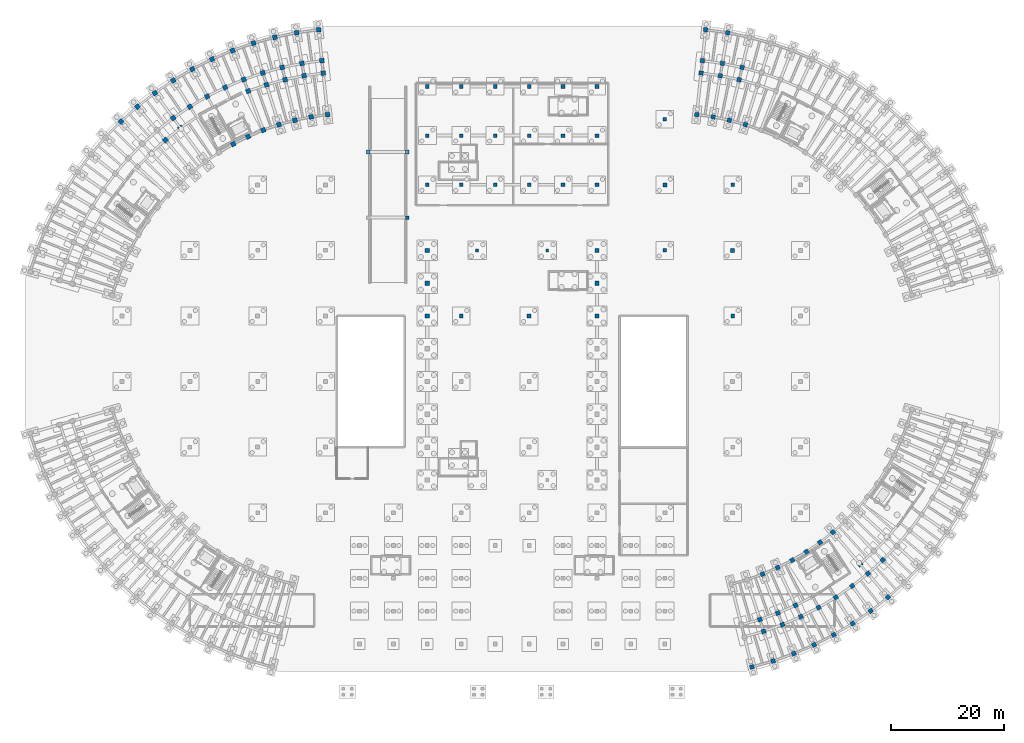
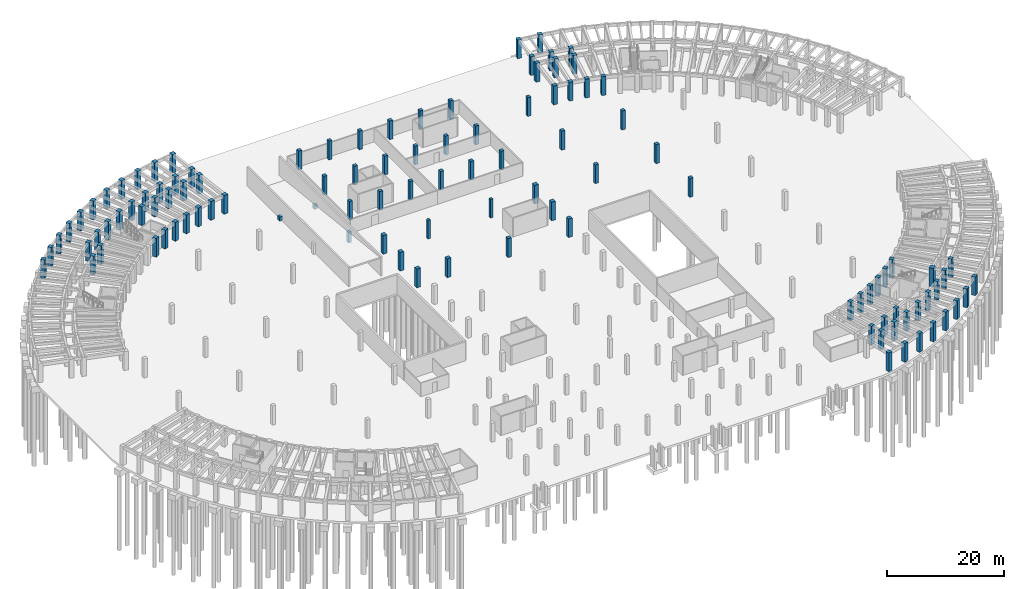
# One storey, part 8 of 29: 109 columns.
"""IFC4 building model written with IfcOpenShell, lengths in metres."""

import ifcopenshell
import ifcopenshell.guid

model = None  # the IFC model being written
_history = None  # IfcOwnerHistory: only IFC2X3 demands one
_inside = {}  # id of a spatial element -> (the spatial element, [elements in it])
_under = {}  # id of a project, library or spatial element -> (it, [spatial elements below it])
_declared = {}  # id of a project -> (the project, [libraries it declares])
_typed = {}  # id of a type object -> (the type object, [elements of that type])
_made_of = {}  # id of a material, layer set ... -> (it, [elements and type objects made of it])


def new_model(schema):
    """Start an empty IFC model of exactly this schema.

    Asked for "IFC4X3", IfcOpenShell would pick the latest addendum, in which some entities
    have other attributes; the version numbers below select the first issue.
    IFC2X3 requires an IfcOwnerHistory on every rooted entity: one is made here for all.
    """
    global model, _history
    if schema == "IFC4X3":
        model = ifcopenshell.file(schema_version=(4, 3, 0, 0))
    else:
        model = ifcopenshell.file(schema=schema)
    _inside.clear()
    _under.clear()
    _declared.clear()
    _typed.clear()
    _made_of.clear()
    _history = None
    if model.schema == "IFC2X3":
        org = make("IfcOrganization", Name="unknown")
        user = make(
            "IfcPersonAndOrganization",
            ThePerson=make("IfcPerson", FamilyName="unknown"),
            TheOrganization=org,
        )
        app = make(
            "IfcApplication",
            ApplicationDeveloper=org,
            Version="unknown",
            ApplicationFullName="unknown",
            ApplicationIdentifier="unknown",
        )
        _history = make(
            "IfcOwnerHistory",
            OwningUser=user,
            OwningApplication=app,
            ChangeAction="ADDED",
            CreationDate=0,
        )
    return model


def make(cls, **values):
    """One entity of the class cls with the attributes given. An attribute that is None is left unset."""
    return model.create_entity(
        cls, **{name: value for name, value in values.items() if value is not None}
    )


def rooted(cls, **values):
    """An entity with a GlobalId (a new one), such as an element, a storey or a relation."""
    return make(cls, GlobalId=ifcopenshell.guid.new(), OwnerHistory=_history, **values)


def si_unit(unit_type, name, prefix=None):
    """IfcSIUnit, for example si_unit("LENGTHUNIT", "METRE", prefix="MILLI")."""
    return make("IfcSIUnit", UnitType=unit_type, Prefix=prefix, Name=name)


def assignment(units):
    """IfcUnitAssignment: the units of a project."""
    return None if units is None else make("IfcUnitAssignment", Units=units)


def point(xyz):
    """IfcCartesianPoint."""
    return None if xyz is None else make("IfcCartesianPoint", Coordinates=xyz)


def direction(xyz):
    """IfcDirection."""
    return None if xyz is None else make("IfcDirection", DirectionRatios=xyz)


def frame(location, z_axis=None, x_axis=None):
    """IfcAxis2Placement3D, a coordinate frame: its origin and axes. An axis left out is left unset."""
    return make(
        "IfcAxis2Placement3D",
        Location=point(location),
        Axis=direction(z_axis),
        RefDirection=direction(x_axis),
    )


def frame_2d(location, x_axis=None):
    """IfcAxis2Placement2D, a coordinate frame in the plane: its origin and x axis."""
    return make(
        "IfcAxis2Placement2D", Location=point(location), RefDirection=direction(x_axis)
    )


def origin():
    """The frame at (0, 0, 0) with its axes left unset."""
    return frame((0.0, 0.0, 0.0))


def origin_2d():
    """The frame at (0, 0) in the plane with its x axis left unset."""
    return frame_2d((0.0, 0.0))


def place(relative_to, where):
    """IfcLocalPlacement: puts the frame where relative to a parent placement (None: the world)."""
    return make(
        "IfcLocalPlacement", PlacementRelTo=relative_to, RelativePlacement=where
    )


def context(
    kind, dimensions, precision=None, world=None, true_north=None, identifier=None
):
    """IfcGeometricRepresentationContext, for example the 3D "Model" context."""
    return make(
        "IfcGeometricRepresentationContext",
        ContextIdentifier=identifier,
        ContextType=kind,
        CoordinateSpaceDimension=dimensions,
        Precision=precision,
        WorldCoordinateSystem=world,
        TrueNorth=true_north,
    )


def subcontext(parent, identifier, kind, view, scale=None):
    """IfcGeometricRepresentationSubContext, for example "Body" below "Model"."""
    return make(
        "IfcGeometricRepresentationSubContext",
        ContextIdentifier=identifier,
        ContextType=kind,
        ParentContext=parent,
        TargetScale=scale,
        TargetView=view,
    )


def project(units=None, contexts=None):
    """IfcProject with its units and contexts."""
    return rooted(
        "IfcProject",
        Name="project",
        RepresentationContexts=contexts,
        UnitsInContext=assignment(units),
    )


def spatial(cls, under=None, at=None, **own):
    """A site, building, storey or space (cls), placed at a placement, below another one or the project."""
    s = rooted(cls, ObjectPlacement=at, **own)
    if under is not None:
        _under.setdefault(under.id(), (under, []))[1].append(s)
    return s


def profile(cls, at=None, kind="AREA", **sizes):
    """A parametric profile (cls). Its sizes go by their IFC names, for example OverallWidth=200.0."""
    return make(cls, ProfileType=kind, Position=at, **sizes)


def rectangle(**sizes):
    """IfcRectangleProfileDef."""
    return profile("IfcRectangleProfileDef", **sizes)


def extrude(swept, where, along, depth):
    """IfcExtrudedAreaSolid: the profile swept, set in the frame where, extruded along a direction by depth."""
    return make(
        "IfcExtrudedAreaSolid",
        SweptArea=swept,
        Position=where,
        ExtrudedDirection=direction(along),
        Depth=depth,
    )


def shape(context_of_items, identifier, shape_type, items):
    """IfcShapeRepresentation: the items that make up one representation, for example the "Body"."""
    return make(
        "IfcShapeRepresentation",
        ContextOfItems=context_of_items,
        RepresentationIdentifier=identifier,
        RepresentationType=shape_type,
        Items=items,
    )


def material(Name=None, Category=None):
    """IfcMaterial."""
    return make("IfcMaterial", Name=Name, Category=Category)


def material_profile(
    of_material, cross_section, Name=None, Category=None, Priority=None
):
    """IfcMaterialProfile: a cross section and its material."""
    return make(
        "IfcMaterialProfile",
        Name=Name,
        Material=of_material,
        Profile=cross_section,
        Priority=Priority,
        Category=Category,
    )


def profile_set(profiles, Name=None, composite=None):
    """IfcMaterialProfileSet."""
    return make(
        "IfcMaterialProfileSet",
        Name=Name,
        MaterialProfiles=profiles,
        CompositeProfile=composite,
    )


def made_of(thing, what):
    """Note that an element or type object is made of a material, layer set ...; save() writes the relation."""
    if what is not None:
        _made_of.setdefault(what.id(), (what, []))[1].append(thing)
    return thing


def type_object(cls, material=None, **own):
    """A type object (cls), such as IfcWallType, which elements share."""
    return made_of(rooted(cls, **own), material)


def element(
    cls,
    number,
    at=None,
    inside=None,
    cuts=None,
    type_object=None,
    material=None,
    context=None,
    identifier="Body",
    shape_type=None,
    held_by="IfcProductDefinitionShape",
    body=None,
    shapes=None,
    **own,
):
    """One element of the class cls, such as IfcWall. Its Tag is "e" and its number.

    at: its placement. inside: the storey or other place that contains it. cuts: it is an
    opening in that element (IfcRelVoidsElement). A single representation is given by context,
    identifier, shape_type and body (its items); several are given by shapes. held_by: the class
    of the entity that holds the representations. save() writes the other relations.
    """
    e = rooted(cls, Tag="e%d" % number, ObjectPlacement=at, **own)
    if body is not None:
        shapes = [shape(context, identifier, shape_type, body)]
    if shapes is not None:
        e.Representation = make(held_by, Representations=shapes)
    if inside is not None:
        _inside.setdefault(inside.id(), (inside, []))[1].append(e)
    if cuts is not None:
        rooted(
            "IfcRelVoidsElement", RelatingBuildingElement=cuts, RelatedOpeningElement=e
        )
    if type_object is not None:
        _typed.setdefault(type_object.id(), (type_object, []))[1].append(e)
    return made_of(e, material)


def aggregate(whole, parts):
    """IfcRelAggregates: a whole, such as a stair, and the parts it consists of."""
    return rooted("IfcRelAggregates", RelatingObject=whole, RelatedObjects=parts)


def save(model, path):
    """Write the relations noted so far, then the file.

    IfcRelAggregates (storeys below a building ...), IfcRelContainedInSpatialStructure (elements
    in a storey), IfcRelDefinesByType, IfcRelAssociatesMaterial and IfcRelDeclares: one each for
    every whole, place, type object, material and project.
    """
    for whole, parts in _under.values():
        aggregate(whole, parts)
    for where, things in _inside.values():
        rooted(
            "IfcRelContainedInSpatialStructure",
            RelatedElements=things,
            RelatingStructure=where,
        )
    for kind, things in _typed.values():
        rooted("IfcRelDefinesByType", RelatedObjects=things, RelatingType=kind)
    for what, things in _made_of.values():
        rooted("IfcRelAssociatesMaterial", RelatedObjects=things, RelatingMaterial=what)
    for by, libraries in _declared.values():
        rooted("IfcRelDeclares", RelatingContext=by, RelatedDefinitions=libraries)
    model.write(path)


model = new_model("IFC4")

# Units and contexts
model_context = context("Model", 3, precision=1e-05, world=origin(), true_north=direction((0.0, 1.0)))
body_context = subcontext(model_context, "Body", "Model", "MODEL_VIEW")
ifc_project = project(units=[si_unit("LENGTHUNIT", "METRE"), si_unit("AREAUNIT", "SQUARE_METRE"), si_unit("VOLUMEUNIT", "CUBIC_METRE"), si_unit("PLANEANGLEUNIT", "RADIAN"), si_unit("MASSUNIT", "GRAM", prefix="KILO")], contexts=[model_context])

# Site, building, storey
site_placement = place(None, origin())
site = spatial("IfcSite", under=ifc_project, at=site_placement, CompositionType="ELEMENT")
building_placement = place(site_placement, origin())
building = spatial("IfcBuilding", under=site, at=building_placement, Name="Tanwirah Colonnade Gardens", CompositionType="ELEMENT")
storey_placement = place(building_placement, frame((0.0, 0.0, -4.199951171875)))
storey = spatial("IfcBuildingStorey", under=building, at=storey_placement, Name="B1", CompositionType="ELEMENT", Elevation=-4.199951171875)

# Columns
ifc_material_1 = material(Name="Precast concrete C40/50", Category="concrete")
ifc_material_profile_1 = material_profile(ifc_material_1, rectangle(XDim=0.5, YDim=0.5, at=origin_2d()), Name="PC-COL 500x500")
ifc_profile_set_1 = profile_set([ifc_material_profile_1], Name="Precast concrete C40/50")
column_type_1 = type_object("IfcColumnType", Name="C-PC500", PredefinedType="COLUMN", material=ifc_profile_set_1)
for number, where, z_axis, x_axis, name in (
    (1, (86.800048828125, 80.39990234375, 0.0), (0.0, 0.0, 1.0), (1.0, 0.0, 0.0), "Community Hall B1 Column 1.7"),
    (2, (99.199951171875, 80.39990234375, 0.0), (0.0, 0.0, 1.0), (1.0, 0.0, 0.0), "Community Hall B1 Column 2.7"),
):
    element("IfcColumn", number, at=place(storey_placement, frame(where, z_axis=z_axis, x_axis=x_axis)), inside=storey, type_object=column_type_1, Name=name, PredefinedType="COLUMN", context=body_context, shape_type="SweptSolid", body=[
        extrude(rectangle(XDim=0.5, YDim=0.5, at=origin_2d()), origin(), (0.0, 0.0, 1.0), 3.905029296875),
    ])
ifc_material_2 = material(Name="Concrete C45/55", Category="concrete")
ifc_material_profile_2 = material_profile(ifc_material_2, rectangle(XDim=0.64990234375, YDim=0.64990234375, at=origin_2d()), Name="RC-COL 650x650")
ifc_profile_set_2 = profile_set([ifc_material_profile_2], Name="Concrete C45/55")
column_type_2 = type_object("IfcColumnType", Name="C-RC650", PredefinedType="COLUMN", material=ifc_profile_set_2)
for number, where, z_axis, x_axis, name in (
    (3, (120.0, 80.39990234375, 0.0), (0.0, 0.0, 1.0), (1.0, 0.0, 0.0), "Basement Parking Column 29"),
    (4, (120.0, 103.60009765625, 0.0), (0.0, 0.0, 1.0), (1.0, 0.0, 0.0), "Basement Parking Column 31"),
    (5, (132.0, 68.800048828125, 0.0), (0.0, 0.0, 1.0), (1.0, 0.0, 0.0), "Basement Parking Column 35"),
    (6, (132.0, 92.0, 0.0), (0.0, 0.0, 1.0), (1.0, 0.0, 0.0), "Basement Parking Column 37"),
):
    element("IfcColumn", number, at=place(storey_placement, frame(where, z_axis=z_axis, x_axis=x_axis)), inside=storey, type_object=column_type_2, Name=name, PredefinedType="COLUMN", context=body_context, shape_type="SweptSolid", body=[
        extrude(rectangle(XDim=0.64990234375, YDim=0.64990234375, at=origin_2d()), origin(), (0.0, 0.0, 1.0), 3.969970703125),
    ])
for number, where, z_axis, x_axis, name in (
    (7, (78.0, 92.0, 0.0), (0.0, 0.0, 1.0), (1.0, 0.0, 0.0), "Nursery B1 Column 0.0"),
    (8, (78.0, 100.699951171875, 0.0), (0.0, 0.0, 1.0), (1.0, 0.0, 0.0), "Nursery B1 Column 0.1"),
    (9, (78.0, 109.39990234375, 0.0), (0.0, 0.0, 1.0), (1.0, 0.0, 0.0), "Nursery B1 Column 0.2"),
    (10, (84.0, 92.0, 0.0), (0.0, 0.0, 1.0), (1.0, 0.0, 0.0), "Nursery B1 Column 1.0"),
    (11, (84.0, 100.699951171875, 0.0), (0.0, 0.0, 1.0), (1.0, 0.0, 0.0), "Nursery B1 Column 1.1"),
    (12, (84.0, 109.39990234375, 0.0), (0.0, 0.0, 1.0), (1.0, 0.0, 0.0), "Nursery B1 Column 1.2"),
    (13, (90.0, 92.0, 0.0), (0.0, 0.0, 1.0), (1.0, 0.0, 0.0), "Nursery B1 Column 2.0"),
    (14, (90.0, 100.699951171875, 0.0), (0.0, 0.0, 1.0), (1.0, 0.0, 0.0), "Nursery B1 Column 2.1"),
    (15, (90.0, 109.39990234375, 0.0), (0.0, 0.0, 1.0), (1.0, 0.0, 0.0), "Nursery B1 Column 2.2"),
    (16, (96.0, 92.0, 0.0), (0.0, 0.0, 1.0), (1.0, 0.0, 0.0), "Nursery B1 Column 3.0"),
    (17, (96.0, 100.699951171875, 0.0), (0.0, 0.0, 1.0), (1.0, 0.0, 0.0), "Nursery B1 Column 3.1"),
    (18, (96.0, 109.39990234375, 0.0), (0.0, 0.0, 1.0), (1.0, 0.0, 0.0), "Nursery B1 Column 3.2"),
    (19, (102.0, 92.0, 0.0), (0.0, 0.0, 1.0), (1.0, 0.0, 0.0), "Nursery B1 Column 4.0"),
    (20, (102.0, 100.699951171875, 0.0), (0.0, 0.0, 1.0), (1.0, 0.0, 0.0), "Nursery B1 Column 4.1"),
    (21, (102.0, 109.39990234375, 0.0), (0.0, 0.0, 1.0), (1.0, 0.0, 0.0), "Nursery B1 Column 4.2"),
    (22, (108.0, 92.0, 0.0), (0.0, 0.0, 1.0), (1.0, 0.0, 0.0), "Nursery B1 Column 5.0"),
    (23, (108.0, 100.699951171875, 0.0), (0.0, 0.0, 1.0), (1.0, 0.0, 0.0), "Nursery B1 Column 5.1"),
    (24, (108.0, 109.39990234375, 0.0), (0.0, 0.0, 1.0), (1.0, 0.0, 0.0), "Nursery B1 Column 5.2"),
):
    element("IfcColumn", number, at=place(storey_placement, frame(where, z_axis=z_axis, x_axis=x_axis)), inside=storey, type_object=column_type_2, Name=name, PredefinedType="COLUMN", context=body_context, shape_type="SweptSolid", body=[
        extrude(rectangle(XDim=0.64990234375, YDim=0.64990234375, at=origin_2d()), origin(), (0.0, 0.0, 1.0), 3.93505859375),
    ])
column_placement = place(storey_placement, frame((74.449951171875, 86.199951171875, 0.0), z_axis=(0.0, 0.0, 1.0), x_axis=(1.0, 0.0, 0.0)))
element("IfcColumn", 25, at=column_placement, inside=storey, type_object=column_type_2, Name="Vehicle Ramp Support Pier 1-E", PredefinedType="COLUMN", context=body_context, shape_type="SweptSolid", body=[
    extrude(rectangle(XDim=0.64990234375, YDim=0.64990234375, at=origin_2d()), origin(), (0.0, 0.0, 1.0), 2.254150390625),
])
for number, where, z_axis, x_axis, name in (
    (26, (67.550048828125, 97.800048828125, 0.0), (0.0, 0.0, 1.0), (1.0, 0.0, 0.0), "Vehicle Ramp Support Pier 2-W"),
    (27, (74.449951171875, 97.800048828125, 0.0), (0.0, 0.0, 1.0), (1.0, 0.0, 0.0), "Vehicle Ramp Support Pier 2-E"),
):
    element("IfcColumn", number, at=place(storey_placement, frame(where, z_axis=z_axis, x_axis=x_axis)), inside=storey, type_object=column_type_2, Name=name, PredefinedType="COLUMN", context=body_context, shape_type="SweptSolid", body=[
        extrude(rectangle(XDim=0.64990234375, YDim=0.64990234375, at=origin_2d()), origin(), (0.0, 0.0, 1.0), 0.833251953125),
    ])
ifc_material_profile_3 = material_profile(ifc_material_2, rectangle(XDim=0.699951171875, YDim=0.699951171875, at=origin_2d()), Name="RC-COL 700x700")
ifc_profile_set_3 = profile_set([ifc_material_profile_3], Name="Concrete C45/55")
column_type_3 = type_object("IfcColumnType", Name="C-RC700", PredefinedType="COLUMN", material=ifc_profile_set_3)
for number, where, z_axis, x_axis, name in (
    (28, (84.0, 68.800048828125, 0.0), (0.0, 0.0, 1.0), (1.0, 0.0, 0.0), "Basement Parking Column 22"),
    (29, (96.0, 68.800048828125, 0.0), (0.0, 0.0, 1.0), (1.0, 0.0, 0.0), "Basement Parking Column 26"),
    (30, (120.0, 92.0, 0.0), (0.0, 0.0, 1.0), (1.0, 0.0, 0.0), "Basement Parking Column 30"),
    (31, (132.0, 80.39990234375, 0.0), (0.0, 0.0, 1.0), (1.0, 0.0, 0.0), "Basement Parking Column 36"),
):
    element("IfcColumn", number, at=place(storey_placement, frame(where, z_axis=z_axis, x_axis=x_axis)), inside=storey, type_object=column_type_3, Name=name, PredefinedType="COLUMN", context=body_context, shape_type="SweptSolid", body=[
        extrude(rectangle(XDim=0.699951171875, YDim=0.699951171875, at=origin_2d()), origin(), (0.0, 0.0, 1.0), 3.969970703125),
    ])
ifc_material_profile_4 = material_profile(ifc_material_2, rectangle(XDim=0.75, YDim=0.75, at=origin_2d()), Name="RC-COL 750x750")
ifc_profile_set_4 = profile_set([ifc_material_profile_4], Name="Concrete C45/55")
column_type_4 = type_object("IfcColumnType", Name="C-RC750", PredefinedType="COLUMN", material=ifc_profile_set_4)
for number, where, z_axis, x_axis, name in (
    (32, (134.242919921875, 102.63134765625, 0.0), (0.0, 0.0, 1.0), (0.297930225503, 0.954587649581, 0.0), "Block B B1 Column 15-R0"),
    (33, (131.41845703125, 103.411865234375, 0.0), (0.0, 0.0, 1.0), (0.234388030122, 0.972143122866, 0.0), "Block B B1 Column 16-R0"),
    (34, (133.153076171875, 110.605712890625, 0.0), (0.0, 0.0, 1.0), (0.234388030122, 0.972143122866, 0.0), "Block B B1 Column 16-R1"),
    (35, (133.668701171875, 112.744384765625, 0.0), (0.0, 0.0, 1.0), (0.234388030122, 0.972143122866, 0.0), "Block B B1 Column 16-R2"),
    (36, (128.548828125, 104.00439453125, 0.0), (0.0, 0.0, 1.0), (0.169827230012, 0.985473851478, 0.0), "Block B B1 Column 17-R0"),
    (37, (129.8056640625, 111.296875, 0.0), (0.0, 0.0, 1.0), (0.169827230012, 0.985473851478, 0.0), "Block B B1 Column 17-R1"),
    (38, (130.17919921875, 113.46484375, 0.0), (0.0, 0.0, 1.0), (0.169827230012, 0.985473851478, 0.0), "Block B B1 Column 17-R2"),
    (39, (131.11328125, 118.885009765625, 0.0), (0.0, 0.0, 1.0), (0.169827230012, 0.985473851478, 0.0), "Block B B1 Column 17-R3"),
    (40, (125.646240234375, 104.406494140625, 0.0), (0.0, 0.0, 1.0), (0.104528393837, 0.994521902666, 0.0), "Block B B1 Column 18-R0"),
    (41, (126.419677734375, 111.765869140625, 0.0), (0.0, 0.0, 1.0), (0.104528393837, 0.994521902666, 0.0), "Block B B1 Column 18-R1"),
    (42, (126.649658203125, 113.953857421875, 0.0), (0.0, 0.0, 1.0), (0.104528393837, 0.994521902666, 0.0), "Block B B1 Column 18-R2"),
    (43, (127.224609375, 119.423828125, 0.0), (0.0, 0.0, 1.0), (0.104528393837, 0.994521902666, 0.0), "Block B B1 Column 18-R3"),
    (44, (135.406494140625, 6.718994140625, 0.0), (0.0, 0.0, 1.0), (0.2419218956, -0.970295726276, 0.0), "Block D B1 Column 0-R3"),
    (45, (136.80712890625, 15.1181640625, 0.0), (0.0, 0.0, 1.0), (0.304864299028, -0.952395799643, 0.0), "Block D B1 Column 1-R1"),
    (46, (137.47802734375, 13.02294921875, 0.0), (0.0, 0.0, 1.0), (0.304864299028, -0.952395799643, 0.0), "Block D B1 Column 1-R2"),
    (47, (139.15478515625, 7.784912109375, 0.0), (0.0, 0.0, 1.0), (0.304864299028, -0.952395799643, 0.0), "Block D B1 Column 1-R3"),
    (48, (137.291015625, 23.142822265625, 0.0), (0.0, 0.0, 1.0), (0.366501226724, -0.930417567982, 0.0), "Block D B1 Column 2-R0"),
    (49, (140.003173828125, 16.2578125, 0.0), (0.0, 0.0, 1.0), (0.366501226724, -0.930417567982, 0.0), "Block D B1 Column 2-R1"),
    (50, (140.809326171875, 14.2109375, 0.0), (0.0, 0.0, 1.0), (0.366501226724, -0.930417567982, 0.0), "Block D B1 Column 2-R2"),
    (51, (142.8251953125, 9.09375, 0.0), (0.0, 0.0, 1.0), (0.366501226724, -0.930417567982, 0.0), "Block D B1 Column 2-R3"),
    (52, (139.9609375, 24.296875, 0.0), (0.0, 0.0, 1.0), (0.426568739901, -0.904455145454, 0.0), "Block D B1 Column 3-R0"),
    (53, (143.11767578125, 17.60400390625, 0.0), (0.0, 0.0, 1.0), (0.426568739901, -0.904455145454, 0.0), "Block D B1 Column 3-R1"),
    (54, (144.05615234375, 15.6142578125, 0.0), (0.0, 0.0, 1.0), (0.426568739901, -0.904455145454, 0.0), "Block D B1 Column 3-R2"),
    (55, (146.402099609375, 10.6396484375, 0.0), (0.0, 0.0, 1.0), (0.426568739901, -0.904455145454, 0.0), "Block D B1 Column 3-R3"),
    (56, (142.5498046875, 25.623046875, 0.0), (0.0, 0.0, 1.0), (0.484809620246, -0.874619707139, 0.0), "Block D B1 Column 4-R0"),
    (57, (147.203857421875, 17.226806640625, 0.0), (0.0, 0.0, 1.0), (0.484809620246, -0.874619707139, 0.0), "Block D B1 Column 4-R2"),
    (58, (149.870361328125, 12.41650390625, 0.0), (0.0, 0.0, 1.0), (0.484809620246, -0.874619707139, 0.0), "Block D B1 Column 4-R3"),
    (59, (145.04638671875, 27.11572265625, 0.0), (0.0, 0.0, 1.0), (0.540974471368, -0.841039012964, 0.0), "Block D B1 Column 5-R0"),
    (60, (150.23974609375, 19.041748046875, 0.0), (0.0, 0.0, 1.0), (0.540974471368, -0.841039012964, 0.0), "Block D B1 Column 5-R2"),
    (61, (153.215087890625, 14.416015625, 0.0), (0.0, 0.0, 1.0), (0.540974471368, -0.841039012964, 0.0), "Block D B1 Column 5-R3"),
    (62, (147.43994140625, 28.7685546875, 0.0), (0.0, 0.0, 1.0), (0.594822786751, -0.803856860617, 0.0), "Block D B1 Column 6-R0"),
    (63, (153.150146484375, 21.051513671875, 0.0), (0.0, 0.0, 1.0), (0.594822786751, -0.803856860617, 0.0), "Block D B1 Column 6-R2"),
    (64, (156.421630859375, 16.63037109375, 0.0), (0.0, 0.0, 1.0), (0.594822786751, -0.803856860617, 0.0), "Block D B1 Column 6-R3"),
    (65, (149.72021484375, 30.57421875, 0.0), (0.0, 0.0, 1.0), (0.646123979643, -0.763232469783, 0.0), "Block D B1 Column 7-R0"),
    (66, (155.923095703125, 23.247314453125, 0.0), (0.0, 0.0, 1.0), (0.646123979643, -0.763232469783, 0.0), "Block D B1 Column 7-R2"),
    (67, (159.4765625, 19.049560546875, 0.0), (0.0, 0.0, 1.0), (0.646123979643, -0.763232469783, 0.0), "Block D B1 Column 7-R3"),
    (68, (158.54638671875, 25.61962890625, 0.0), (0.0, 0.0, 1.0), (0.694658370459, -0.719339800339, 0.0), "Block D B1 Column 8-R2"),
):
    element("IfcColumn", number, at=place(storey_placement, frame(where, z_axis=z_axis, x_axis=x_axis)), inside=storey, type_object=column_type_4, Name=name, PredefinedType="COLUMN", context=body_context, shape_type="SweptSolid", body=[
        extrude(rectangle(XDim=0.75, YDim=0.75, at=origin_2d()), origin(), (0.0, 0.0, 1.0), 3.919921875),
    ])
for number, where, z_axis, x_axis, name in (
    (69, (78.0, 68.800048828125, 0.0), (0.0, 0.0, 1.0), (1.0, 0.0, 0.0), "Community Hall B1 Column 0.5"),
    (70, (78.0, 74.60009765625, 0.0), (0.0, 0.0, 1.0), (1.0, 0.0, 0.0), "Community Hall B1 Column 0.6"),
    (71, (78.0, 80.39990234375, 0.0), (0.0, 0.0, 1.0), (1.0, 0.0, 0.0), "Community Hall B1 Column 0.7"),
    (72, (108.0, 68.800048828125, 0.0), (0.0, 0.0, 1.0), (1.0, 0.0, 0.0), "Community Hall B1 Column 3.5"),
    (73, (108.0, 74.60009765625, 0.0), (0.0, 0.0, 1.0), (1.0, 0.0, 0.0), "Community Hall B1 Column 3.6"),
    (74, (108.0, 80.39990234375, 0.0), (0.0, 0.0, 1.0), (1.0, 0.0, 0.0), "Community Hall B1 Column 3.7"),
):
    element("IfcColumn", number, at=place(storey_placement, frame(where, z_axis=z_axis, x_axis=x_axis)), inside=storey, type_object=column_type_4, Name=name, PredefinedType="COLUMN", context=body_context, shape_type="SweptSolid", body=[
        extrude(rectangle(XDim=0.75, YDim=0.75, at=origin_2d()), origin(), (0.0, 0.0, 1.0), 3.905029296875),
    ])
ifc_material_3 = material(Name="Concrete C50/60", Category="concrete")
ifc_material_profile_5 = material_profile(ifc_material_3, rectangle(XDim=0.800048828125, YDim=0.800048828125, at=origin_2d()), Name="RC-COL 800x800")
ifc_profile_set_5 = profile_set([ifc_material_profile_5], Name="Concrete C50/60")
column_type_5 = type_object("IfcColumnType", Name="C-RC800", PredefinedType="COLUMN", material=ifc_profile_set_5)
for number, where, z_axis, x_axis, name in (
    (75, (60.353759765625, 104.406494140625, 0.0), (0.0, 0.0, 1.0), (-0.104528463268, 0.994521895368, 0.0), "Block A B1 Column 0-R0"),
    (76, (59.580078125, 111.765869140625, 0.0), (0.0, 0.0, 1.0), (-0.104528463268, 0.994521895368, 0.0), "Block A B1 Column 0-R1"),
    (77, (59.350341796875, 113.953857421875, 0.0), (0.0, 0.0, 1.0), (-0.104528463268, 0.994521895368, 0.0), "Block A B1 Column 0-R2"),
    (78, (58.775390625, 119.423828125, 0.0), (0.0, 0.0, 1.0), (-0.104528463268, 0.994521895368, 0.0), "Block A B1 Column 0-R3"),
    (79, (57.451171875, 104.00439453125, 0.0), (0.0, 0.0, 1.0), (-0.169827298811, 0.985473839622, 0.0), "Block A B1 Column 1-R0"),
    (80, (56.1943359375, 111.296875, 0.0), (0.0, 0.0, 1.0), (-0.169827298811, 0.985473839622, 0.0), "Block A B1 Column 1-R1"),
    (81, (55.82080078125, 113.46484375, 0.0), (0.0, 0.0, 1.0), (-0.169827298811, 0.985473839622, 0.0), "Block A B1 Column 1-R2"),
    (82, (54.88671875, 118.885009765625, 0.0), (0.0, 0.0, 1.0), (-0.169827298811, 0.985473839622, 0.0), "Block A B1 Column 1-R3"),
    (83, (54.58154296875, 103.411865234375, 0.0), (0.0, 0.0, 1.0), (-0.23438809799, 0.972143106503, 0.0), "Block A B1 Column 2-R0"),
    (84, (52.846923828125, 110.605712890625, 0.0), (0.0, 0.0, 1.0), (-0.23438809799, 0.972143106503, 0.0), "Block A B1 Column 2-R1"),
    (85, (52.331298828125, 112.744384765625, 0.0), (0.0, 0.0, 1.0), (-0.23438809799, 0.972143106503, 0.0), "Block A B1 Column 2-R2"),
    (86, (51.042236328125, 118.091064453125, 0.0), (0.0, 0.0, 1.0), (-0.23438809799, 0.972143106503, 0.0), "Block A B1 Column 2-R3"),
    (87, (51.757080078125, 102.63134765625, 0.0), (0.0, 0.0, 1.0), (-0.297930292146, 0.954587628781, 0.0), "Block A B1 Column 3-R0"),
    (88, (49.55224609375, 109.6953125, 0.0), (0.0, 0.0, 1.0), (-0.297930292146, 0.954587628781, 0.0), "Block A B1 Column 3-R1"),
    (89, (48.89697265625, 111.79541015625, 0.0), (0.0, 0.0, 1.0), (-0.297930292146, 0.954587628781, 0.0), "Block A B1 Column 3-R2"),
    (90, (47.25830078125, 117.045654296875, 0.0), (0.0, 0.0, 1.0), (-0.297930292146, 0.954587628781, 0.0), "Block A B1 Column 3-R3"),
    (91, (48.989990234375, 101.666748046875, 0.0), (0.0, 0.0, 1.0), (-0.360177739278, 0.932883699144, 0.0), "Block A B1 Column 4-R0"),
    (92, (46.32470703125, 108.570068359375, 0.0), (0.0, 0.0, 1.0), (-0.360177739278, 0.932883699144, 0.0), "Block A B1 Column 4-R1"),
    (93, (45.532470703125, 110.622314453125, 0.0), (0.0, 0.0, 1.0), (-0.360177739278, 0.932883699144, 0.0), "Block A B1 Column 4-R2"),
    (94, (43.551513671875, 115.753173828125, 0.0), (0.0, 0.0, 1.0), (-0.360177739278, 0.932883699144, 0.0), "Block A B1 Column 4-R3"),
    (95, (46.292724609375, 100.521728515625, 0.0), (0.0, 0.0, 1.0), (-0.420859924104, 0.907125638643, 0.0), "Block A B1 Column 5-R0"),
    (96, (42.25244140625, 109.230224609375, 0.0), (0.0, 0.0, 1.0), (-0.420859924104, 0.907125638643, 0.0), "Block A B1 Column 5-R2"),
    (97, (39.937744140625, 114.21923828125, 0.0), (0.0, 0.0, 1.0), (-0.420859924104, 0.907125638643, 0.0), "Block A B1 Column 5-R3"),
    (98, (43.6767578125, 99.20166015625, 0.0), (0.0, 0.0, 1.0), (-0.479713133669, 0.877425386791, 0.0), "Block A B1 Column 6-R0"),
    (99, (39.071533203125, 107.624755859375, 0.0), (0.0, 0.0, 1.0), (-0.479713133669, 0.877425386791, 0.0), "Block A B1 Column 6-R2"),
    (100, (36.43310546875, 112.45068359375, 0.0), (0.0, 0.0, 1.0), (-0.479713133669, 0.877425386791, 0.0), "Block A B1 Column 6-R3"),
    (101, (36.003173828125, 105.8134765625, 0.0), (0.0, 0.0, 1.0), (-0.536481603385, 0.843912015099, 0.0), "Block A B1 Column 7-R2"),
    (102, (33.052490234375, 110.455078125, 0.0), (0.0, 0.0, 1.0), (-0.536481603385, 0.843912015099, 0.0), "Block A B1 Column 7-R3"),
    (103, (33.060791015625, 103.8037109375, 0.0), (0.0, 0.0, 1.0), (-0.590918628541, 0.806731166153, 0.0), "Block A B1 Column 8-R2"),
    (104, (29.810791015625, 108.24072265625, 0.0), (0.0, 0.0, 1.0), (-0.590918628541, 0.806731166153, 0.0), "Block A B1 Column 8-R3"),
    (105, (31.67138671875, 99.91943359375, 0.0), (0.0, 0.0, 1.0), (-0.642787636427, 0.766044420681, 0.0), "Block A B1 Column 9-R1"),
    (106, (26.721923828125, 105.81787109375, 0.0), (0.0, 0.0, 1.0), (-0.642787636427, 0.766044420681, 0.0), "Block A B1 Column 9-R3"),
    (107, (23.799560546875, 103.19677734375, 0.0), (0.0, 0.0, 1.0), (-0.691863214436, 0.722028595355, 0.0), "Block A B1 Column 10-R3"),
):
    element("IfcColumn", number, at=place(storey_placement, frame(where, z_axis=z_axis, x_axis=x_axis)), inside=storey, type_object=column_type_5, Name=name, PredefinedType="COLUMN", context=body_context, shape_type="SweptSolid", body=[
        extrude(rectangle(XDim=0.800048828125, YDim=0.800048828125, at=origin_2d()), origin(), (0.0, 0.0, 1.0), 3.919921875),
    ])
ifc_material_profile_6 = material_profile(ifc_material_3, rectangle(XDim=0.85009765625, YDim=0.85009765625, at=origin_2d()), Name="RC-COL 850x850")
ifc_profile_set_6 = profile_set([ifc_material_profile_6], Name="Concrete C50/60")
column_type_6 = type_object("IfcColumnType", Name="C-RC850", PredefinedType="COLUMN", material=ifc_profile_set_6)
for number, where, z_axis, x_axis, name in (
    (108, (34.36083984375, 102.029052734375, 0.0), (0.0, 0.0, 1.0), (-0.590918628541, 0.806731166153, 0.0), "Block A B1 Column 8-R1"),
    (109, (154.50146484375, 24.926513671875, 0.0), (0.0, 0.0, 1.0), (0.646123979643, -0.763232469783, 0.0), "Block D B1 Column 7-R1"),
):
    element("IfcColumn", number, at=place(storey_placement, frame(where, z_axis=z_axis, x_axis=x_axis)), inside=storey, type_object=column_type_6, Name=name, PredefinedType="COLUMN", context=body_context, shape_type="SweptSolid", body=[
        extrude(rectangle(XDim=0.85009765625, YDim=0.85009765625, at=origin_2d()), origin(), (0.0, 0.0, 1.0), 3.919921875),
    ])

save(model, "model.ifc")
